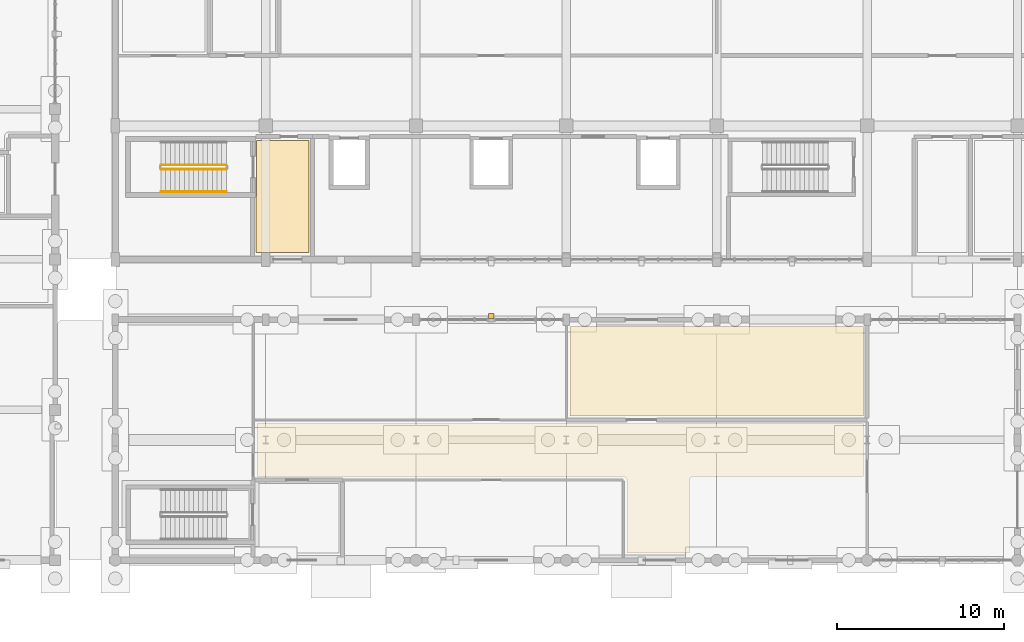
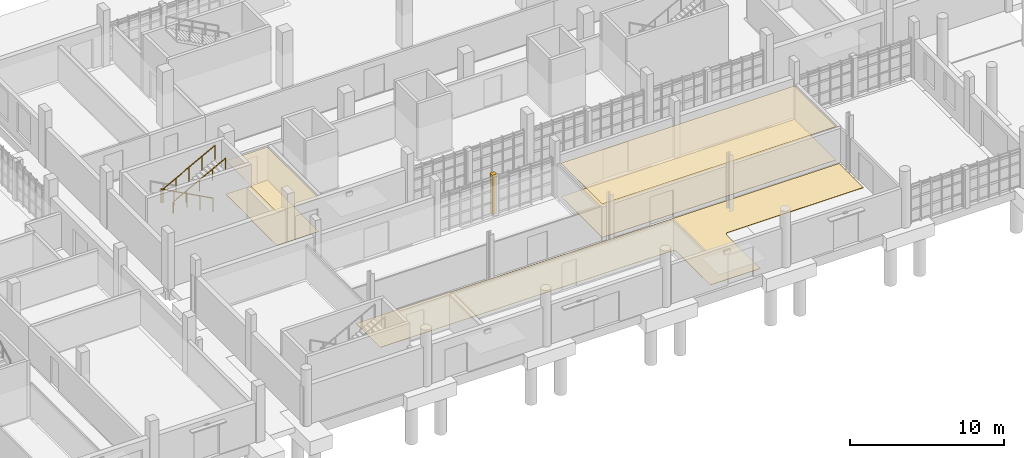
# One storey, part 54 of 63: 6 coverings, 3 railings.
"""IFC4 building model written with IfcOpenShell, lengths in metres."""

from ifc_helpers import new_model, si_unit, direction, frame, origin, origin_2d, place, context, subcontext, project, spatial, polyline, circle, outline, extrude, material, layer, layer_set, type_object, element, save


model = new_model("IFC4")

# Units and contexts
model_context = context("Model", 3, precision=1e-05, world=origin(), true_north=direction((0.0, 1.0)))
body_context = subcontext(model_context, "Body", "Model", "MODEL_VIEW")
ifc_project = project(units=[si_unit("LENGTHUNIT", "METRE"), si_unit("AREAUNIT", "SQUARE_METRE"), si_unit("VOLUMEUNIT", "CUBIC_METRE"), si_unit("PLANEANGLEUNIT", "RADIAN"), si_unit("MASSUNIT", "GRAM", prefix="KILO")], contexts=[model_context])

# Site, building, storey
site_placement = place(None, origin())
site = spatial("IfcSite", under=ifc_project, at=site_placement, CompositionType="ELEMENT")
building_placement = place(site_placement, origin())
building = spatial("IfcBuilding", under=site, at=building_placement, Name="Serraforn Aerial Cableway Station", CompositionType="ELEMENT")
storey_placement = place(building_placement, origin())
storey = spatial("IfcBuildingStorey", under=building, at=storey_placement, Name="L00", CompositionType="ELEMENT", Elevation=0.0)

# Coverings
ifc_material_1 = material(Name="Fluted patinated bronze Art Deco pilaster cladding")
ifc_layer_1 = layer(ifc_material_1, 0.034912109375)
ifc_layer_set_1 = layer_set([ifc_layer_1], Name="Fluted patinated bronze Art Deco pilaster cladding")
covering_type_1 = type_object("IfcCoveringType", Name="COV-CLAD-BRZ", PredefinedType="CLADDING", material=ifc_layer_set_1)
covering_1_placement = place(storey_placement, origin())
element("IfcCovering", 1, at=covering_1_placement, inside=storey, type_object=covering_type_1, Name="Art Deco Bronze Pilaster Cladding CF-L00-N3", PredefinedType="CLADDING", context=body_context, shape_type="SweptSolid", body=[
    extrude(outline(polyline([(49.93994140625, 14.4599609375), (50.260009765625, 14.4599609375), (50.260009765625, 14.780029296875), (49.93994140625, 14.780029296875), (49.93994140625, 14.4599609375)])), origin(), (0.0, 0.0, 1.0), 3.1201171875),
])
ifc_material_2 = material(Name="Fire-protective gypsum board ceiling")
ifc_layer_2 = layer(ifc_material_2, 0.02001953125)
ifc_layer_set_2 = layer_set([ifc_layer_2], Name="Fire-protective gypsum board ceiling")
covering_type_2 = type_object("IfcCoveringType", Name="COV-CLG-GYP", PredefinedType="CEILING", material=ifc_layer_set_2)
covering_2_placement = place(storey_placement, frame((0.0, 0.0, 2.659912109375)))
element("IfcCovering", 2, at=covering_2_placement, inside=storey, type_object=covering_type_2, Name="Suspended Ceiling L00-10", PredefinedType="CEILING", context=body_context, shape_type="SweptSolid", body=[
    extrude(outline(polyline([(54.820068359375, 8.6201171875), (54.820068359375, 13.97998046875), (72.3798828125, 13.97998046875), (72.3798828125, 8.6201171875), (54.820068359375, 8.6201171875)])), origin(), (0.0, 0.0, 1.0), 0.02001953125),
])
covering_3_placement = place(storey_placement, frame((0.0, 0.0, 2.659912109375)))
element("IfcCovering", 3, at=covering_3_placement, inside=storey, type_object=covering_type_2, Name="Suspended Ceiling L00-23", PredefinedType="CEILING", context=body_context, shape_type="SweptSolid", body=[
    extrude(outline(polyline([(36.06005859375, 25.1298828125), (39.179931640625, 25.1298828125), (39.179931640625, 18.419921875), (36.02001953125, 18.419921875), (36.02001953125, 21.73388671875), (36.02294921875, 21.73779296875), (36.033935546875, 21.75634765625), (36.043212890625, 21.77587890625), (36.050537109375, 21.796142578125), (36.055908203125, 21.817138671875), (36.058837890625, 21.83837890625), (36.06005859375, 21.860107421875), (36.06005859375, 25.1298828125)])), origin(), (0.0, 0.0, 1.0), 0.02001953125),
])
ifc_material_3 = material(Name="Honed Montjuic limestone flooring", Category="masonry")
ifc_layer_3 = layer(ifc_material_3, 0.030029296875)
ifc_layer_set_3 = layer_set([ifc_layer_3], Name="Honed Montjuic limestone flooring")
covering_type_3 = type_object("IfcCoveringType", Name="COV-FLR-STN", PredefinedType="FLOORING", material=ifc_layer_set_3)
covering_4_placement = place(storey_placement, origin())
element("IfcCovering", 4, at=covering_4_placement, inside=storey, type_object=covering_type_3, Name="Flooring L00-07", PredefinedType="FLOORING", context=body_context, shape_type="SweptSolid", body=[
    extrude(outline(polyline([(58.219970703125, 0.419921875), (58.219970703125, 4.800048828125), (58.218994140625, 4.821533203125), (58.2158203125, 4.843017578125), (58.21044921875, 4.864013671875), (58.203369140625, 4.88427734375), (58.194091796875, 4.90380859375), (58.182861328125, 4.922119140625), (58.170166015625, 4.939697265625), (58.155517578125, 4.95556640625), (58.1396484375, 4.97021484375), (58.122314453125, 4.98291015625), (58.103759765625, 4.993896484375), (58.084228515625, 5.00341796875), (58.06396484375, 5.010498046875), (58.04296875, 5.015869140625), (58.021484375, 5.018798828125), (58.0, 5.02001953125), (36.070068359375, 5.02001953125), (36.070068359375, 8.179931640625), (72.3798828125, 8.179931640625), (72.3798828125, 5.02001953125), (62.199951171875, 5.02001953125), (62.178466796875, 5.018798828125), (62.156982421875, 5.015869140625), (62.135986328125, 5.010498046875), (62.11572265625, 5.00341796875), (62.09619140625, 4.993896484375), (62.077880859375, 4.98291015625), (62.060302734375, 4.97021484375), (62.04443359375, 4.95556640625), (62.02978515625, 4.939697265625), (62.01708984375, 4.922119140625), (62.006103515625, 4.90380859375), (61.99658203125, 4.88427734375), (61.989501953125, 4.864013671875), (61.984130859375, 4.843017578125), (61.981201171875, 4.821533203125), (61.97998046875, 4.800048828125), (61.97998046875, 0.419921875), (58.219970703125, 0.419921875)])), origin(), (0.0, 0.0, 1.0), 0.030029296875),
])
covering_5_placement = place(storey_placement, origin())
element("IfcCovering", 5, at=covering_5_placement, inside=storey, type_object=covering_type_3, Name="Flooring L00-23", PredefinedType="FLOORING", context=body_context, shape_type="SweptSolid", body=[
    extrude(outline(polyline([(36.06005859375, 25.1298828125), (39.179931640625, 25.1298828125), (39.179931640625, 18.419921875), (36.02001953125, 18.419921875), (36.02001953125, 21.73388671875), (36.02294921875, 21.73779296875), (36.033935546875, 21.75634765625), (36.043212890625, 21.77587890625), (36.050537109375, 21.796142578125), (36.055908203125, 21.817138671875), (36.058837890625, 21.83837890625), (36.06005859375, 21.860107421875), (36.06005859375, 25.1298828125)])), origin(), (0.0, 0.0, 1.0), 0.030029296875),
])
ifc_material_4 = material(Name="Catalan geometric terrazzo tile flooring")
ifc_layer_4 = layer(ifc_material_4, 0.02490234375)
ifc_layer_set_4 = layer_set([ifc_layer_4], Name="Catalan geometric terrazzo tile flooring")
covering_type_4 = type_object("IfcCoveringType", Name="COV-FLR-TER", PredefinedType="FLOORING", material=ifc_layer_set_4)
covering_6_placement = place(storey_placement, origin())
element("IfcCovering", 6, at=covering_6_placement, inside=storey, type_object=covering_type_4, Name="Flooring L00-10", PredefinedType="FLOORING", context=body_context, shape_type="SweptSolid", body=[
    extrude(outline(polyline([(54.820068359375, 8.6201171875), (54.820068359375, 13.97998046875), (72.3798828125, 13.97998046875), (72.3798828125, 8.6201171875), (54.820068359375, 8.6201171875)])), origin(), (0.0, 0.0, 1.0), 0.02490234375),
])

# Railings
ifc_material_5 = material(Name="Patinated bronze stair guardrail")
ifc_layer_5 = layer(ifc_material_5, 0.050048828125)
ifc_layer_set_5 = layer_set([ifc_layer_5], Name="Patinated bronze stair guardrail")
railing_type_1 = type_object("IfcRailingType", Name="RL-STR-GRD", PredefinedType="GUARDRAIL", material=ifc_layer_set_5)
railing_1_placement = place(storey_placement, frame((34.25, 23.659912109375, 0.14990234375)))
element("IfcRailing", 7, at=railing_1_placement, inside=storey, type_object=railing_type_1, Name="L00 ST-03 stair guard 1", PredefinedType="GUARDRAIL", context=body_context, shape_type="SweptSolid", body=[
    extrude(circle(Radius=0.02392578125, at=origin_2d()), frame((0.0, 0.0, 1.076171875), z_axis=(-0.881466911329, 0.0, 0.472245787945), x_axis=(0.0, -1.0, 0.0)), (0.0, 0.0, 1.0), 4.447021484375),
    extrude(circle(Radius=0.02099609375, at=origin_2d()), origin(), (0.0, 0.0, 1.0), 1.052001953125),
    extrude(circle(Radius=0.02099609375, at=origin_2d()), frame((-0.97998046875, 0.0, 0.52490234375)), (0.0, 0.0, 1.0), 1.052001953125),
    extrude(circle(Radius=0.02099609375, at=origin_2d()), frame((-1.9599609375, 0.0, 1.050048828125)), (0.0, 0.0, 1.0), 1.052001953125),
    extrude(circle(Radius=0.02099609375, at=origin_2d()), frame((-2.93994140625, 0.0, 1.5751953125)), (0.0, 0.0, 1.0), 1.052001953125),
    extrude(circle(Radius=0.02099609375, at=origin_2d()), frame((-3.919921875, 0.0, 2.10009765625)), (0.0, 0.0, 1.0), 1.052001953125),
])
railing_2_placement = place(storey_placement, frame((30.330078125, 23.39990234375, 2.39990234375)))
element("IfcRailing", 8, at=railing_2_placement, inside=storey, type_object=railing_type_1, Name="L00 ST-03 stair guard 3", PredefinedType="GUARDRAIL", context=body_context, shape_type="SweptSolid", body=[
    extrude(circle(Radius=0.02392578125, at=origin_2d()), frame((0.0, 0.0, 1.076171875), z_axis=(0.881466911329, 0.0, 0.472245787945), x_axis=(0.0, 1.0, 0.0)), (0.0, 0.0, 1.0), 4.447021484375),
    extrude(circle(Radius=0.02099609375, at=origin_2d()), origin(), (0.0, 0.0, 1.0), 1.052001953125),
    extrude(circle(Radius=0.02099609375, at=origin_2d()), frame((0.97998046875, 0.0, 0.52490234375)), (0.0, 0.0, 1.0), 1.052001953125),
    extrude(circle(Radius=0.02099609375, at=origin_2d()), frame((1.9599609375, 0.0, 1.050048828125)), (0.0, 0.0, 1.0), 1.052001953125),
    extrude(circle(Radius=0.02099609375, at=origin_2d()), frame((2.93994140625, 0.0, 1.5751953125)), (0.0, 0.0, 1.0), 1.052001953125),
    extrude(circle(Radius=0.02099609375, at=origin_2d()), frame((3.919921875, 0.0, 2.10009765625)), (0.0, 0.0, 1.0), 1.052001953125),
])
ifc_material_6 = material(Name="Brushed bronze tubular handrail")
ifc_layer_6 = layer(ifc_material_6, 0.048095703125)
ifc_layer_set_6 = layer_set([ifc_layer_6], Name="Brushed bronze tubular handrail")
railing_type_2 = type_object("IfcRailingType", Name="RL-STR-HDR", PredefinedType="HANDRAIL", material=ifc_layer_set_6)
railing_3_placement = place(storey_placement, frame((30.330078125, 22.050048828125, 2.39990234375)))
element("IfcRailing", 9, at=railing_3_placement, inside=storey, type_object=railing_type_2, Name="L00 ST-03 stair handrail 2", PredefinedType="HANDRAIL", context=body_context, shape_type="SweptSolid", body=[
    extrude(circle(Radius=0.02392578125, at=origin_2d()), frame((0.0, 0.0, 0.8759765625), z_axis=(0.881466911329, 0.0, 0.472245787945), x_axis=(0.0, 1.0, 0.0)), (0.0, 0.0, 1.0), 4.447021484375),
    extrude(circle(Radius=0.02099609375, at=origin_2d()), origin(), (0.0, 0.0, 1.0), 0.851806640625),
    extrude(circle(Radius=0.02099609375, at=origin_2d()), frame((0.97998046875, 0.0, 0.52490234375)), (0.0, 0.0, 1.0), 0.851806640625),
    extrude(circle(Radius=0.02099609375, at=origin_2d()), frame((1.9599609375, 0.0, 1.050048828125)), (0.0, 0.0, 1.0), 0.851806640625),
    extrude(circle(Radius=0.02099609375, at=origin_2d()), frame((2.93994140625, 0.0, 1.5751953125)), (0.0, 0.0, 1.0), 0.851806640625),
    extrude(circle(Radius=0.02099609375, at=origin_2d()), frame((3.919921875, 0.0, 2.10009765625)), (0.0, 0.0, 1.0), 0.851806640625),
])

save(model, "model.ifc")
